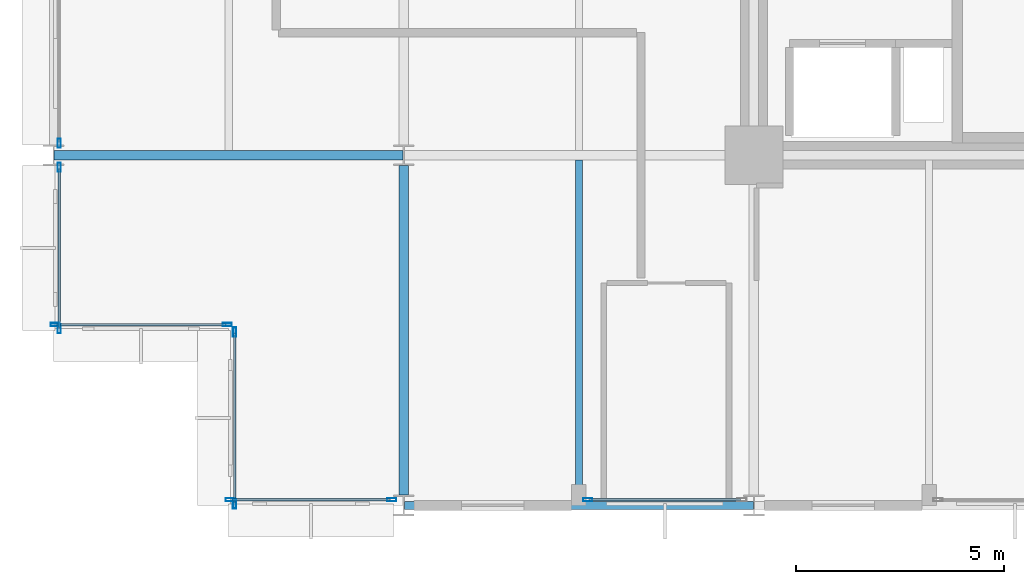
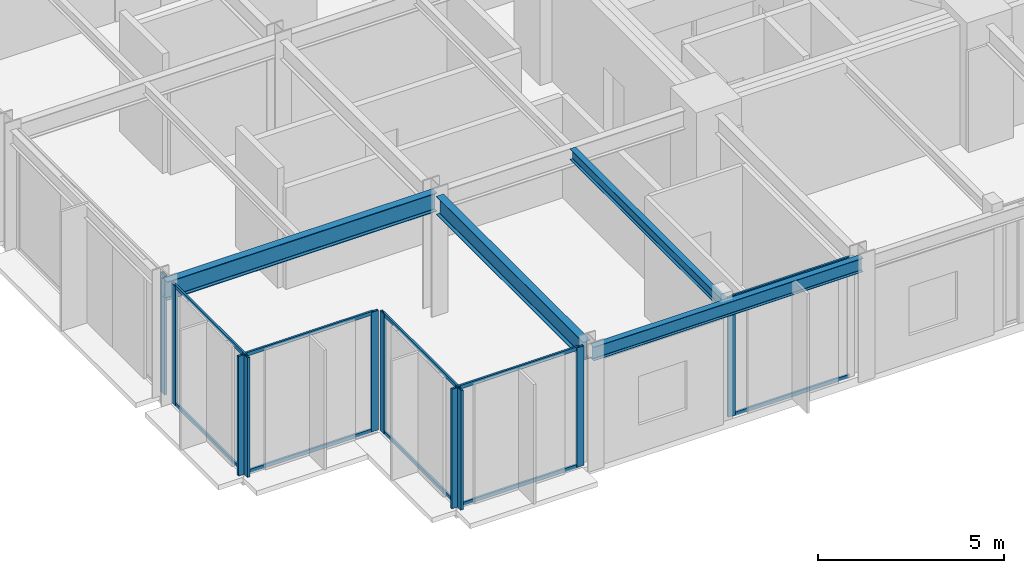
# One storey, part 4 of 30: 20 members, 4 beams, 6 elements without a shape of their own.
"""IFC4 building model written with IfcOpenShell, lengths in metres."""

from ifc_helpers import new_model, si_unit, direction, frame, origin, origin_2d, place, context, subcontext, project, spatial, hollow_rectangle, i_section, extrude, material, layer, layer_set, material_profile, profile_set, type_object, element, aggregate, save


model = new_model("IFC4")

# Units and contexts
model_context = context("Model", 3, precision=1e-05, world=origin(), true_north=direction((0.0, 1.0)))
body_context = subcontext(model_context, "Body", "Model", "MODEL_VIEW")
ifc_project = project(units=[si_unit("LENGTHUNIT", "METRE"), si_unit("AREAUNIT", "SQUARE_METRE"), si_unit("VOLUMEUNIT", "CUBIC_METRE"), si_unit("PLANEANGLEUNIT", "RADIAN"), si_unit("MASSUNIT", "GRAM", prefix="KILO")], contexts=[model_context])

# Site, building, storey
site_placement = place(None, origin())
site = spatial("IfcSite", under=ifc_project, at=site_placement, CompositionType="ELEMENT")
building_placement = place(site_placement, origin())
building = spatial("IfcBuilding", under=site, at=building_placement, Name="Nerrivon Quay Data Exchange", CompositionType="ELEMENT")
storey_placement = place(building_placement, frame((0.0, 0.0, 62.60009765625)))
storey = spatial("IfcBuildingStorey", under=building, at=storey_placement, Name="L14", CompositionType="ELEMENT", Elevation=62.60009765625)

# Beams
ifc_material_1 = material(Name="Steel Grade 350", Category="steel")
ifc_material_profile_1 = material_profile(ifc_material_1, i_section(OverallWidth=0.22900390625, OverallDepth=0.612060546875, WebThickness=0.011962890625, FlangeThickness=0.01953125, FilletRadius=0.013916015625, at=origin_2d()), Name="610UB125")
ifc_profile_set_1 = profile_set([ifc_material_profile_1], Name="Steel Grade 350")
beam_type_1 = type_object("IfcBeamType", Name="BM-G1-610UB125", PredefinedType="BEAM", material=ifc_profile_set_1)
beam_1_placement = place(storey_placement, frame((0.013916015625, 8.39990234375, 3.618896484375), z_axis=(1.0, 0.0, 0.0), x_axis=(0.0, 1.0, 0.0)))
element("IfcBeam", 1, at=beam_1_placement, inside=storey, type_object=beam_type_1, Name="L14 EW Girder Y=8.4 (0.0..8.4)", PredefinedType="BEAM", context=body_context, shape_type="SweptSolid", body=[
    extrude(i_section(OverallWidth=0.22900390625, OverallDepth=0.612060546875, WebThickness=0.011962890625, FlangeThickness=0.01953125, FilletRadius=0.013916015625, at=origin_2d()), origin(), (0.0, 0.0, 1.0), 8.3720703125),
])
ifc_material_profile_2 = material_profile(ifc_material_1, i_section(OverallWidth=0.22802734375, OverallDepth=0.60205078125, WebThickness=0.010498046875, FlangeThickness=0.014892578125, FilletRadius=0.013916015625, at=origin_2d()), Name="610UB101")
ifc_profile_set_2 = profile_set([ifc_material_profile_2], Name="Steel Grade 350")
beam_type_2 = type_object("IfcBeamType", Name="BM-G2-610UB101", PredefinedType="BEAM", material=ifc_profile_set_2)
beam_2_placement = place(storey_placement, frame((8.39990234375, 0.25, 3.6240234375), z_axis=(0.0, 1.0, 0.0), x_axis=(-1.0, 0.0, 0.0)))
element("IfcBeam", 2, at=beam_2_placement, inside=storey, type_object=beam_type_2, Name="L14 NS Girder X=8.4 (0.0..8.4)", PredefinedType="BEAM", context=body_context, shape_type="SweptSolid", body=[
    extrude(i_section(OverallWidth=0.22802734375, OverallDepth=0.60205078125, WebThickness=0.010498046875, FlangeThickness=0.014892578125, FilletRadius=0.013916015625, at=origin_2d()), origin(), (0.0, 0.0, 1.0), 7.89990234375),
])
ifc_material_profile_3 = material_profile(ifc_material_1, i_section(OverallWidth=0.172119140625, OverallDepth=0.35888671875, WebThickness=0.008056640625, FlangeThickness=0.012939453125, FilletRadius=0.011474609375, at=origin_2d()), Name="360UB56.7")
ifc_profile_set_3 = profile_set([ifc_material_profile_3], Name="Steel Grade 350")
beam_type_3 = type_object("IfcBeamType", Name="BM-J3-360UB57", PredefinedType="JOIST", material=ifc_profile_set_3)
beam_3_placement = place(storey_placement, frame((12.60009765625, 0.094970703125, 3.745361328125), z_axis=(0.0, 1.0, 0.0), x_axis=(-1.0, 0.0, 0.0)))
element("IfcBeam", 3, at=beam_3_placement, inside=storey, type_object=beam_type_3, Name="L14 Secondary Joist X=12.6 (0.0..8.4)", PredefinedType="JOIST", context=body_context, shape_type="SweptSolid", body=[
    extrude(i_section(OverallWidth=0.172119140625, OverallDepth=0.35888671875, WebThickness=0.008056640625, FlangeThickness=0.012939453125, FilletRadius=0.011474609375, at=origin_2d()), origin(), (0.0, 0.0, 1.0), 8.1904296875),
])
ifc_material_profile_4 = material_profile(ifc_material_1, i_section(OverallWidth=0.18994140625, OverallDepth=0.4541015625, WebThickness=0.008544921875, FlangeThickness=0.0126953125, FilletRadius=0.011474609375, at=origin_2d()), Name="460UB67.1")
ifc_profile_set_4 = profile_set([ifc_material_profile_4], Name="Steel Grade 350")
beam_type_4 = type_object("IfcBeamType", Name="BM-SP1-460UB67", PredefinedType="SPANDREL", material=ifc_profile_set_4)
beam_4_placement = place(storey_placement, frame((8.4140625, 0.0, 3.697998046875), z_axis=(1.0, 0.0, 0.0), x_axis=(0.0, 1.0, 0.0)))
element("IfcBeam", 4, at=beam_4_placement, inside=storey, type_object=beam_type_4, Name="L14 EW Girder Y=0.0 (8.4..16.8)", PredefinedType="SPANDREL", context=body_context, shape_type="SweptSolid", body=[
    extrude(i_section(OverallWidth=0.18994140625, OverallDepth=0.4541015625, WebThickness=0.008544921875, FlangeThickness=0.0126953125, FilletRadius=0.011474609375, at=origin_2d()), origin(), (0.0, 0.0, 1.0), 8.371826171875),
])

# Curtain wall, member
ifc_material_2 = material(Name="Anodised aluminium 6063-T6", Category="aluminium")
ifc_layer = layer(ifc_material_2, 0.219970703125)
ifc_layer_set = layer_set([ifc_layer], Name="Anodised aluminium 6063-T6")
curtain_wall_type = type_object("IfcCurtainWallType", Name="CW-SYS-01", PredefinedType="NOTDEFINED", material=ifc_layer_set)
curtain_wall_1_placement = place(storey_placement, origin())
curtain_wall_1 = element("IfcCurtainWall", 5, at=curtain_wall_1_placement, inside=storey, type_object=curtain_wall_type, Name="L14 Unitised Curtain Wall 12", PredefinedType="NOTDEFINED")
ifc_material_profile_5 = material_profile(ifc_material_2, hollow_rectangle(XDim=0.074951171875, YDim=0.219970703125, WallThickness=0.00390625, at=origin_2d()), Name="ALU-MULL-220x75")
ifc_profile_set_5 = profile_set([ifc_material_profile_5], Name="Anodised aluminium 6063-T6")
member_type_1 = type_object("IfcMemberType", Name="CWM-220x75", PredefinedType="MULLION", material=ifc_profile_set_5)
member_1_placement = place(storey_placement, frame((12.8125, 0.139892578125, 0.0), z_axis=(0.0, 0.0, 1.0), x_axis=(0.0, -1.0, 0.0)))
member_1 = element("IfcMember", 6, at=member_1_placement, type_object=member_type_1, Name="CW01 mullion 2", PredefinedType="MULLION", context=body_context, shape_type="SweptSolid", body=[
    extrude(hollow_rectangle(XDim=0.074951171875, YDim=0.219970703125, WallThickness=0.00390625, at=origin_2d()), origin(), (0.0, 0.0, 1.0), 3.9248046875),
])

# Curtain wall, members
curtain_wall_2_placement = place(storey_placement, origin())
curtain_wall_2 = element("IfcCurtainWall", 7, at=curtain_wall_2_placement, inside=storey, type_object=curtain_wall_type, Name="L14 Unitised Curtain Wall 14", PredefinedType="NOTDEFINED")
member_2_placement = place(storey_placement, frame((8.112548828125, 0.139892578125, 0.0), z_axis=(0.0, 0.0, 1.0), x_axis=(0.0, -1.0, 0.0)))
member_2 = element("IfcMember", 8, at=member_2_placement, type_object=member_type_1, Name="CW01 mullion 1", PredefinedType="MULLION", context=body_context, shape_type="SweptSolid", body=[
    extrude(hollow_rectangle(XDim=0.074951171875, YDim=0.219970703125, WallThickness=0.00390625, at=origin_2d()), origin(), (0.0, 0.0, 1.0), 3.9248046875),
])
member_3_placement = place(storey_placement, frame((4.237548828125, 0.139892578125, 0.0), z_axis=(0.0, 0.0, 1.0), x_axis=(0.0, -1.0, 0.0)))
member_3 = element("IfcMember", 9, at=member_3_placement, type_object=member_type_1, Name="CW01 mullion 2", PredefinedType="MULLION", context=body_context, shape_type="SweptSolid", body=[
    extrude(hollow_rectangle(XDim=0.074951171875, YDim=0.219970703125, WallThickness=0.00390625, at=origin_2d()), origin(), (0.0, 0.0, 1.0), 3.9248046875),
])

curtain_wall_3_placement = place(storey_placement, origin())
curtain_wall_3 = element("IfcCurtainWall", 10, at=curtain_wall_3_placement, inside=storey, type_object=curtain_wall_type, Name="L14 Unitised Curtain Wall 15", PredefinedType="NOTDEFINED")
member_4_placement = place(storey_placement, frame((4.340087890625, 0.03759765625, 0.0), z_axis=(0.0, 0.0, 1.0), x_axis=(-1.0, 0.0, 0.0)))
member_4 = element("IfcMember", 11, at=member_4_placement, type_object=member_type_1, Name="CW01 mullion 1", PredefinedType="MULLION", context=body_context, shape_type="SweptSolid", body=[
    extrude(hollow_rectangle(XDim=0.074951171875, YDim=0.219970703125, WallThickness=0.00390625, at=origin_2d()), origin(), (0.0, 0.0, 1.0), 3.9248046875),
])
member_5_placement = place(storey_placement, frame((4.340087890625, 4.16259765625, 0.0), z_axis=(0.0, 0.0, 1.0), x_axis=(-1.0, 0.0, 0.0)))
member_5 = element("IfcMember", 12, at=member_5_placement, type_object=member_type_1, Name="CW01 mullion 2", PredefinedType="MULLION", context=body_context, shape_type="SweptSolid", body=[
    extrude(hollow_rectangle(XDim=0.074951171875, YDim=0.219970703125, WallThickness=0.00390625, at=origin_2d()), origin(), (0.0, 0.0, 1.0), 3.9248046875),
])

curtain_wall_4_placement = place(storey_placement, origin())
curtain_wall_4 = element("IfcCurtainWall", 13, at=curtain_wall_4_placement, inside=storey, type_object=curtain_wall_type, Name="L14 Unitised Curtain Wall 16", PredefinedType="NOTDEFINED")
member_6_placement = place(storey_placement, frame((4.16259765625, 4.340087890625, 0.0), z_axis=(0.0, 0.0, 1.0), x_axis=(0.0, -1.0, 0.0)))
member_6 = element("IfcMember", 14, at=member_6_placement, type_object=member_type_1, Name="CW01 mullion 1", PredefinedType="MULLION", context=body_context, shape_type="SweptSolid", body=[
    extrude(hollow_rectangle(XDim=0.074951171875, YDim=0.219970703125, WallThickness=0.00390625, at=origin_2d()), origin(), (0.0, 0.0, 1.0), 3.9248046875),
])
member_7_placement = place(storey_placement, frame((0.03759765625, 4.340087890625, 0.0), z_axis=(0.0, 0.0, 1.0), x_axis=(0.0, -1.0, 0.0)))
member_7 = element("IfcMember", 15, at=member_7_placement, type_object=member_type_1, Name="CW01 mullion 2", PredefinedType="MULLION", context=body_context, shape_type="SweptSolid", body=[
    extrude(hollow_rectangle(XDim=0.074951171875, YDim=0.219970703125, WallThickness=0.00390625, at=origin_2d()), origin(), (0.0, 0.0, 1.0), 3.9248046875),
])

curtain_wall_5_placement = place(storey_placement, origin())
curtain_wall_5 = element("IfcCurtainWall", 16, at=curtain_wall_5_placement, inside=storey, type_object=curtain_wall_type, Name="L14 Unitised Curtain Wall 17", PredefinedType="NOTDEFINED")
member_8_placement = place(storey_placement, frame((0.139892578125, 4.237548828125, 0.0), z_axis=(0.0, 0.0, 1.0), x_axis=(-1.0, 0.0, 0.0)))
member_8 = element("IfcMember", 17, at=member_8_placement, type_object=member_type_1, Name="CW01 mullion 1", PredefinedType="MULLION", context=body_context, shape_type="SweptSolid", body=[
    extrude(hollow_rectangle(XDim=0.074951171875, YDim=0.219970703125, WallThickness=0.00390625, at=origin_2d()), origin(), (0.0, 0.0, 1.0), 3.9248046875),
])
member_9_placement = place(storey_placement, frame((0.139892578125, 8.112548828125, 0.0), z_axis=(0.0, 0.0, 1.0), x_axis=(-1.0, 0.0, 0.0)))
member_9 = element("IfcMember", 18, at=member_9_placement, type_object=member_type_1, Name="CW01 mullion 2", PredefinedType="MULLION", context=body_context, shape_type="SweptSolid", body=[
    extrude(hollow_rectangle(XDim=0.074951171875, YDim=0.219970703125, WallThickness=0.00390625, at=origin_2d()), origin(), (0.0, 0.0, 1.0), 3.9248046875),
])

# Curtain wall, member
curtain_wall_6_placement = place(storey_placement, origin())
curtain_wall_6 = element("IfcCurtainWall", 19, at=curtain_wall_6_placement, inside=storey, type_object=curtain_wall_type, Name="L14 Unitised Curtain Wall 18", PredefinedType="NOTDEFINED")
member_10_placement = place(storey_placement, frame((0.139892578125, 8.6875, 0.0), z_axis=(0.0, 0.0, 1.0), x_axis=(-1.0, 0.0, 0.0)))
member_10 = element("IfcMember", 20, at=member_10_placement, type_object=member_type_1, Name="CW01 mullion 1", PredefinedType="MULLION", context=body_context, shape_type="SweptSolid", body=[
    extrude(hollow_rectangle(XDim=0.074951171875, YDim=0.219970703125, WallThickness=0.00390625, at=origin_2d()), origin(), (0.0, 0.0, 1.0), 3.9248046875),
])
aggregate(curtain_wall_6, [member_10])

# Member
ifc_material_profile_6 = material_profile(ifc_material_2, hollow_rectangle(XDim=0.06005859375, YDim=0.1201171875, WallThickness=0.003173828125, at=origin_2d()), Name="ALU-TRAN-120x60")
ifc_profile_set_6 = profile_set([ifc_material_profile_6], Name="Anodised aluminium 6063-T6")
member_type_2 = type_object("IfcMemberType", Name="CWT-120x60", PredefinedType="USERDEFINED", material=ifc_profile_set_6)
member_11_placement = place(storey_placement, frame((16.47509765625, 0.139892578125, 0.032470703125), z_axis=(-1.0, 0.0, 0.0), x_axis=(0.0, -1.0, 0.0)))
member_11 = element("IfcMember", 21, at=member_11_placement, type_object=member_type_2, Name="CW01 transom 1.1", ObjectType="TRANSOM", PredefinedType="USERDEFINED", context=body_context, shape_type="SweptSolid", body=[
    extrude(hollow_rectangle(XDim=0.06005859375, YDim=0.1201171875, WallThickness=0.003173828125, at=origin_2d()), origin(), (0.0, 0.0, 1.0), 3.625),
])

member_12_placement = place(storey_placement, frame((16.47509765625, 0.139892578125, 3.892333984375), z_axis=(-1.0, 0.0, 0.0), x_axis=(0.0, -1.0, 0.0)))
member_12 = element("IfcMember", 22, at=member_12_placement, type_object=member_type_2, Name="CW01 transom 1.2", ObjectType="TRANSOM", PredefinedType="USERDEFINED", context=body_context, shape_type="SweptSolid", body=[
    extrude(hollow_rectangle(XDim=0.06005859375, YDim=0.1201171875, WallThickness=0.003173828125, at=origin_2d()), origin(), (0.0, 0.0, 1.0), 3.625),
])

aggregate(curtain_wall_1, [member_1, member_11, member_12])

member_13_placement = place(storey_placement, frame((8.074951171875, 0.139892578125, 0.032470703125), z_axis=(-1.0, 0.0, 0.0), x_axis=(0.0, -1.0, 0.0)))
member_13 = element("IfcMember", 23, at=member_13_placement, type_object=member_type_2, Name="CW01 transom 1.1", ObjectType="TRANSOM", PredefinedType="USERDEFINED", context=body_context, shape_type="SweptSolid", body=[
    extrude(hollow_rectangle(XDim=0.06005859375, YDim=0.1201171875, WallThickness=0.003173828125, at=origin_2d()), origin(), (0.0, 0.0, 1.0), 3.800048828125),
])

member_14_placement = place(storey_placement, frame((8.074951171875, 0.139892578125, 3.892333984375), z_axis=(-1.0, 0.0, 0.0), x_axis=(0.0, -1.0, 0.0)))
member_14 = element("IfcMember", 24, at=member_14_placement, type_object=member_type_2, Name="CW01 transom 1.2", ObjectType="TRANSOM", PredefinedType="USERDEFINED", context=body_context, shape_type="SweptSolid", body=[
    extrude(hollow_rectangle(XDim=0.06005859375, YDim=0.1201171875, WallThickness=0.003173828125, at=origin_2d()), origin(), (0.0, 0.0, 1.0), 3.800048828125),
])

aggregate(curtain_wall_2, [member_2, member_3, member_13, member_14])

member_15_placement = place(storey_placement, frame((4.340087890625, 0.074951171875, 0.032470703125), z_axis=(0.0, 1.0, 0.0), x_axis=(-1.0, 0.0, 0.0)))
member_15 = element("IfcMember", 25, at=member_15_placement, type_object=member_type_2, Name="CW01 transom 1.1", ObjectType="TRANSOM", PredefinedType="USERDEFINED", context=body_context, shape_type="SweptSolid", body=[
    extrude(hollow_rectangle(XDim=0.06005859375, YDim=0.1201171875, WallThickness=0.003173828125, at=origin_2d()), origin(), (0.0, 0.0, 1.0), 4.050048828125),
])

member_16_placement = place(storey_placement, frame((4.340087890625, 0.074951171875, 3.892333984375), z_axis=(0.0, 1.0, 0.0), x_axis=(-1.0, 0.0, 0.0)))
member_16 = element("IfcMember", 26, at=member_16_placement, type_object=member_type_2, Name="CW01 transom 1.2", ObjectType="TRANSOM", PredefinedType="USERDEFINED", context=body_context, shape_type="SweptSolid", body=[
    extrude(hollow_rectangle(XDim=0.06005859375, YDim=0.1201171875, WallThickness=0.003173828125, at=origin_2d()), origin(), (0.0, 0.0, 1.0), 4.050048828125),
])

aggregate(curtain_wall_3, [member_4, member_5, member_15, member_16])

member_17_placement = place(storey_placement, frame((4.125, 4.340087890625, 0.032470703125), z_axis=(-1.0, 0.0, 0.0), x_axis=(0.0, -1.0, 0.0)))
member_17 = element("IfcMember", 27, at=member_17_placement, type_object=member_type_2, Name="CW01 transom 1.1", ObjectType="TRANSOM", PredefinedType="USERDEFINED", context=body_context, shape_type="SweptSolid", body=[
    extrude(hollow_rectangle(XDim=0.06005859375, YDim=0.1201171875, WallThickness=0.003173828125, at=origin_2d()), origin(), (0.0, 0.0, 1.0), 4.050048828125),
])

member_18_placement = place(storey_placement, frame((4.125, 4.340087890625, 3.892333984375), z_axis=(-1.0, 0.0, 0.0), x_axis=(0.0, -1.0, 0.0)))
member_18 = element("IfcMember", 28, at=member_18_placement, type_object=member_type_2, Name="CW01 transom 1.2", ObjectType="TRANSOM", PredefinedType="USERDEFINED", context=body_context, shape_type="SweptSolid", body=[
    extrude(hollow_rectangle(XDim=0.06005859375, YDim=0.1201171875, WallThickness=0.003173828125, at=origin_2d()), origin(), (0.0, 0.0, 1.0), 4.050048828125),
])

aggregate(curtain_wall_4, [member_6, member_7, member_17, member_18])

member_19_placement = place(storey_placement, frame((0.139892578125, 4.27490234375, 0.032470703125), z_axis=(0.0, 1.0, 0.0), x_axis=(-1.0, 0.0, 0.0)))
member_19 = element("IfcMember", 29, at=member_19_placement, type_object=member_type_2, Name="CW01 transom 1.1", ObjectType="TRANSOM", PredefinedType="USERDEFINED", context=body_context, shape_type="SweptSolid", body=[
    extrude(hollow_rectangle(XDim=0.06005859375, YDim=0.1201171875, WallThickness=0.003173828125, at=origin_2d()), origin(), (0.0, 0.0, 1.0), 3.800048828125),
])

member_20_placement = place(storey_placement, frame((0.139892578125, 4.27490234375, 3.892333984375), z_axis=(0.0, 1.0, 0.0), x_axis=(-1.0, 0.0, 0.0)))
member_20 = element("IfcMember", 30, at=member_20_placement, type_object=member_type_2, Name="CW01 transom 1.2", ObjectType="TRANSOM", PredefinedType="USERDEFINED", context=body_context, shape_type="SweptSolid", body=[
    extrude(hollow_rectangle(XDim=0.06005859375, YDim=0.1201171875, WallThickness=0.003173828125, at=origin_2d()), origin(), (0.0, 0.0, 1.0), 3.800048828125),
])

aggregate(curtain_wall_5, [member_8, member_9, member_19, member_20])

save(model, "model.ifc")
